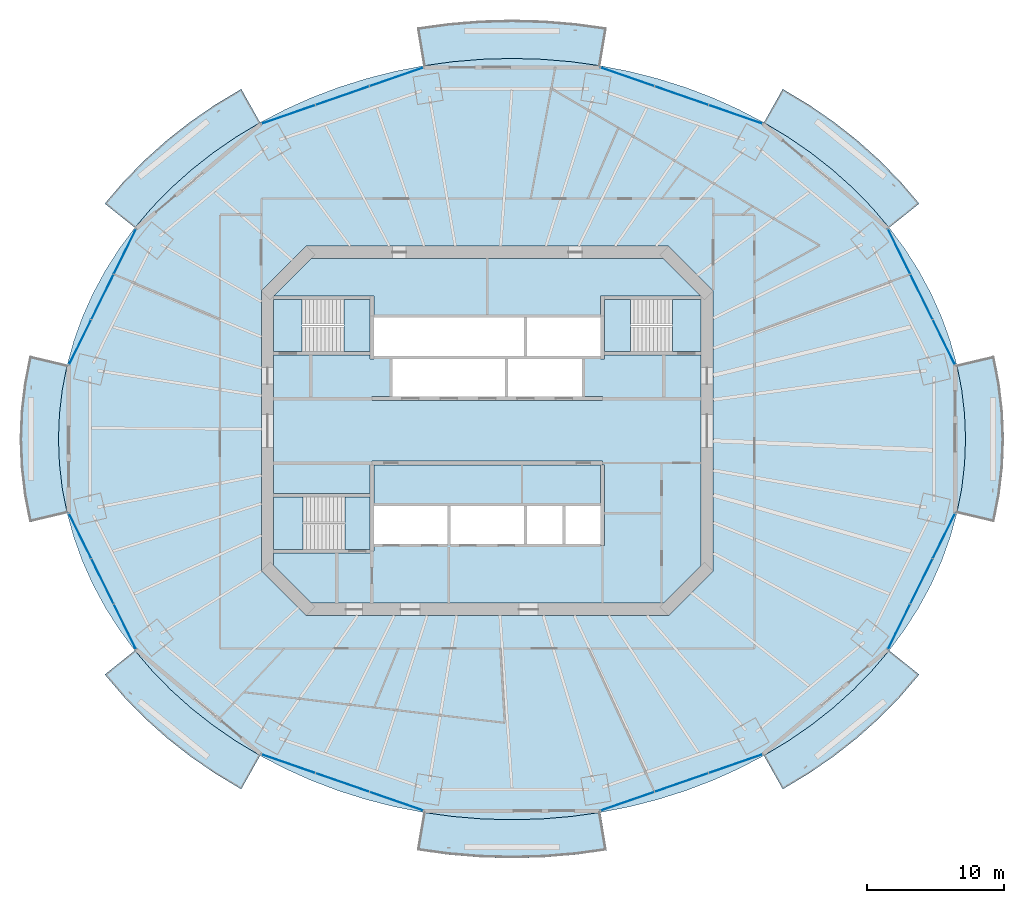
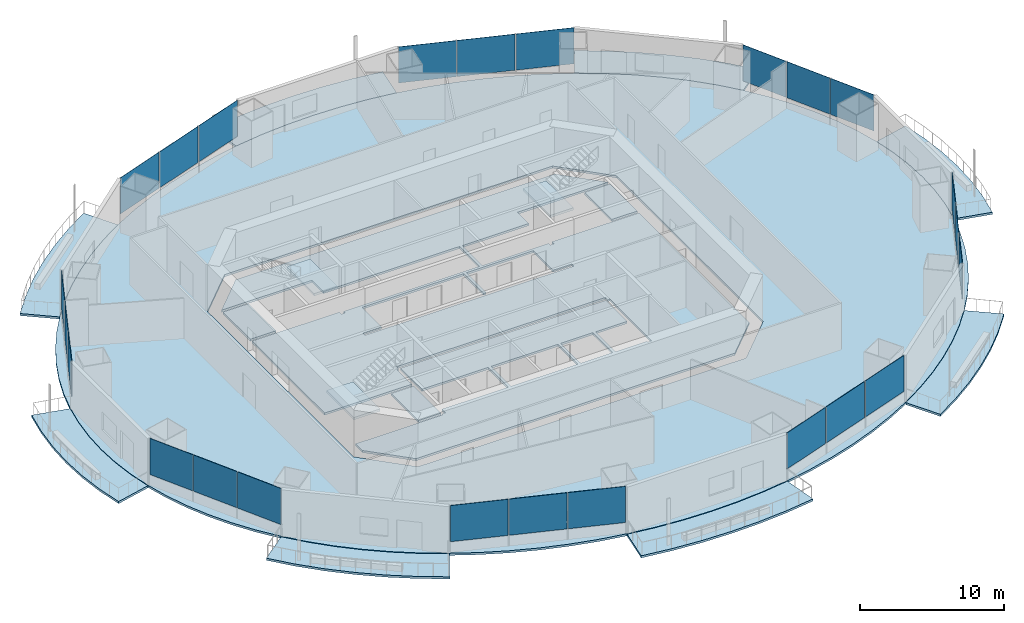
# One storey, part 11 of 21: 24 plates, 16 slabs, 11 elements without a shape of their own.
"""IFC4 building model written with IfcOpenShell, lengths in metres."""

from ifc_helpers import new_model, si_unit, direction, frame, origin, origin_2d, place, context, subcontext, project, spatial, polyline, rectangle, outline, extrude, material, layer, layer_set, type_object, element, aggregate, save


model = new_model("IFC4")

# Units and contexts
model_context = context("Model", 3, precision=1e-05, world=origin(), true_north=direction((0.0, 1.0)))
body_context = subcontext(model_context, "Body", "Model", "MODEL_VIEW")
ifc_project = project(units=[si_unit("LENGTHUNIT", "METRE"), si_unit("AREAUNIT", "SQUARE_METRE"), si_unit("VOLUMEUNIT", "CUBIC_METRE"), si_unit("PLANEANGLEUNIT", "RADIAN"), si_unit("MASSUNIT", "GRAM", prefix="KILO")], contexts=[model_context])

# Site, building, storey
site_placement = place(None, origin())
site = spatial("IfcSite", under=ifc_project, at=site_placement, CompositionType="ELEMENT")
building_placement = place(site_placement, origin())
building = spatial("IfcBuilding", under=site, at=building_placement, Name="Marenthal Gate Tower", CompositionType="ELEMENT")
storey_placement = place(building_placement, frame((0.0, 0.0, 161.050048828125)))
storey = spatial("IfcBuildingStorey", under=building, at=storey_placement, Name="L34", CompositionType="ELEMENT", Elevation=161.050048828125)

# Slabs
ifc_material_1 = material(Name="Concrete 40 MPa", Category="concrete")
ifc_layer_1 = layer(ifc_material_1, 0.179931640625)
ifc_layer_set_1 = layer_set([ifc_layer_1], Name="Balcony deck 180")
slab_type_1 = type_object("IfcSlabType", Name="Balcony deck 180", PredefinedType="USERDEFINED", material=ifc_layer_set_1)
slab_1_placement = place(storey_placement, frame((0.0, 0.0, -0.219970703125)))
element("IfcSlab", 1, at=slab_1_placement, inside=storey, type_object=slab_type_1, Name="Balcony deck L34 bay 2", ObjectType="BALCONY", PredefinedType="USERDEFINED", context=body_context, shape_type="SweptSolid", body=[
    extrude(outline(polyline([(29.25439453125, 14.7958984375), (27.99560546875, 16.27001953125), (26.625, 17.671875), (25.14794921875, 18.995361328125), (23.57080078125, 20.235107421875), (21.900634765625, 21.385498046875), (20.144287109375, 22.441650390625), (21.513916015625, 24.8837890625), (23.416748046875, 23.739501953125), (25.230712890625, 22.489990234375), (26.947998046875, 21.14013671875), (28.56103515625, 19.69482421875), (30.062255859375, 18.159423828125), (31.44482421875, 16.5400390625), (29.25439453125, 14.7958984375)])), origin(), (0.0, 0.0, 1.0), 0.179931640625),
])
slab_2_placement = place(storey_placement, frame((0.0, 0.0, -0.219970703125)))
element("IfcSlab", 2, at=slab_2_placement, inside=storey, type_object=slab_type_1, Name="Balcony deck L34 bay 4", ObjectType="BALCONY", PredefinedType="USERDEFINED", context=body_context, shape_type="SweptSolid", body=[
    extrude(outline(polyline([(8.24169921875, 26.57958984375), (6.10986328125, 26.875), (3.95947265625, 27.052734375), (1.800048828125, 27.112060546875), (-0.359619140625, 27.052734375), (-2.509765625, 26.875), (-4.6416015625, 26.57958984375), (-5.102783203125, 29.34130859375), (-2.8173828125, 29.657958984375), (-0.51318359375, 29.848388671875), (1.800048828125, 29.912109375), (4.11328125, 29.848388671875), (6.417236328125, 29.657958984375), (8.70263671875, 29.34130859375), (8.24169921875, 26.57958984375)])), origin(), (0.0, 0.0, 1.0), 0.179931640625),
])
slab_3_placement = place(storey_placement, frame((0.0, 0.0, -0.219970703125)))
element("IfcSlab", 3, at=slab_3_placement, inside=storey, type_object=slab_type_1, Name="Balcony deck L34 bay 6", ObjectType="BALCONY", PredefinedType="USERDEFINED", context=body_context, shape_type="SweptSolid", body=[
    extrude(outline(polyline([(-16.54443359375, 22.441650390625), (-18.30078125, 21.385498046875), (-19.970947265625, 20.235107421875), (-21.548095703125, 18.995361328125), (-23.02490234375, 17.671875), (-24.395751953125, 16.27001953125), (-25.654296875, 14.7958984375), (-27.844970703125, 16.5400390625), (-26.462158203125, 18.159423828125), (-24.9609375, 19.69482421875), (-23.34814453125, 21.14013671875), (-21.630615234375, 22.489990234375), (-19.816650390625, 23.739501953125), (-17.9140625, 24.8837890625), (-16.54443359375, 22.441650390625)])), origin(), (0.0, 0.0, 1.0), 0.179931640625),
])
slab_4_placement = place(storey_placement, frame((0.0, 0.0, -0.219970703125)))
element("IfcSlab", 4, at=slab_4_placement, inside=storey, type_object=slab_type_1, Name="Balcony deck L34 bay 8", ObjectType="BALCONY", PredefinedType="USERDEFINED", context=body_context, shape_type="SweptSolid", body=[
    extrude(outline(polyline([(-30.58447265625, 4.806396484375), (-30.9365234375, 3.01708984375), (-31.148193359375, 1.21240234375), (-31.218994140625, -0.60009765625), (-31.148193359375, -2.41259765625), (-30.9365234375, -4.217041015625), (-30.58447265625, -6.00634765625), (-33.30908203125, -6.652099609375), (-33.70263671875, -4.651123046875), (-33.939697265625, -2.630615234375), (-34.01904296875, -0.60009765625), (-33.939697265625, 1.430419921875), (-33.70263671875, 3.450927734375), (-33.30908203125, 5.451904296875), (-30.58447265625, 4.806396484375)])), origin(), (0.0, 0.0, 1.0), 0.179931640625),
])
slab_5_placement = place(storey_placement, frame((0.0, 0.0, -0.219970703125)))
element("IfcSlab", 5, at=slab_5_placement, inside=storey, type_object=slab_type_1, Name="Balcony deck L34 bay 10", ObjectType="BALCONY", PredefinedType="USERDEFINED", context=body_context, shape_type="SweptSolid", body=[
    extrude(outline(polyline([(-25.654296875, -15.99609375), (-24.395751953125, -17.469970703125), (-23.02490234375, -18.871826171875), (-21.548095703125, -20.1953125), (-19.970947265625, -21.43505859375), (-18.30078125, -22.58544921875), (-16.54443359375, -23.6416015625), (-17.9140625, -26.083984375), (-19.816650390625, -24.939453125), (-21.630615234375, -23.68994140625), (-23.34814453125, -22.340087890625), (-24.9609375, -20.894775390625), (-26.462158203125, -19.359375), (-27.844970703125, -17.739990234375), (-25.654296875, -15.99609375)])), origin(), (0.0, 0.0, 1.0), 0.179931640625),
])
slab_6_placement = place(storey_placement, frame((0.0, 0.0, -0.219970703125)))
element("IfcSlab", 6, at=slab_6_placement, inside=storey, type_object=slab_type_1, Name="Balcony deck L34 bay 12", ObjectType="BALCONY", PredefinedType="USERDEFINED", context=body_context, shape_type="SweptSolid", body=[
    extrude(outline(polyline([(-4.6416015625, -27.779541015625), (-2.509765625, -28.074951171875), (-0.359619140625, -28.252685546875), (1.800048828125, -28.31201171875), (3.95947265625, -28.252685546875), (6.10986328125, -28.074951171875), (8.24169921875, -27.779541015625), (8.70263671875, -30.541259765625), (6.417236328125, -30.85791015625), (4.11328125, -31.048583984375), (1.800048828125, -31.112060546875), (-0.51318359375, -31.048583984375), (-2.8173828125, -30.85791015625), (-5.102783203125, -30.541259765625), (-4.6416015625, -27.779541015625)])), origin(), (0.0, 0.0, 1.0), 0.179931640625),
])
slab_7_placement = place(storey_placement, frame((0.0, 0.0, -0.219970703125)))
element("IfcSlab", 7, at=slab_7_placement, inside=storey, type_object=slab_type_1, Name="Balcony deck L34 bay 14", ObjectType="BALCONY", PredefinedType="USERDEFINED", context=body_context, shape_type="SweptSolid", body=[
    extrude(outline(polyline([(20.144287109375, -23.6416015625), (21.900634765625, -22.58544921875), (23.57080078125, -21.43505859375), (25.14794921875, -20.1953125), (26.625, -18.871826171875), (27.99560546875, -17.469970703125), (29.25439453125, -15.99609375), (31.44482421875, -17.739990234375), (30.062255859375, -19.359375), (28.56103515625, -20.894775390625), (26.947998046875, -22.340087890625), (25.230712890625, -23.68994140625), (23.416748046875, -24.939453125), (21.513916015625, -26.083984375), (20.144287109375, -23.6416015625)])), origin(), (0.0, 0.0, 1.0), 0.179931640625),
])
slab_8_placement = place(storey_placement, frame((0.0, 0.0, -0.219970703125)))
element("IfcSlab", 8, at=slab_8_placement, inside=storey, type_object=slab_type_1, Name="Balcony deck L34 bay 16", ObjectType="BALCONY", PredefinedType="USERDEFINED", context=body_context, shape_type="SweptSolid", body=[
    extrude(outline(polyline([(34.1845703125, -6.00634765625), (34.53662109375, -4.217041015625), (34.748291015625, -2.41259765625), (34.819091796875, -0.60009765625), (34.748291015625, 1.21240234375), (34.53662109375, 3.01708984375), (34.1845703125, 4.806396484375), (36.908935546875, 5.451904296875), (37.302734375, 3.450927734375), (37.539794921875, 1.430419921875), (37.618896484375, -0.60009765625), (37.539794921875, -2.630615234375), (37.302734375, -4.651123046875), (36.908935546875, -6.652099609375), (34.1845703125, -6.00634765625)])), origin(), (0.0, 0.0, 1.0), 0.179931640625),
])
ifc_material_2 = material(Name="Concrete 50 MPa", Category="concrete")
ifc_layer_2 = layer(ifc_material_2, 0.179931640625)
ifc_layer_set_2 = layer_set([ifc_layer_2], Name="Core floor slab 180")
slab_type_2 = type_object("IfcSlabType", Name="Core floor slab 180", PredefinedType="FLOOR", material=ifc_layer_set_2)
slab_9_placement = place(storey_placement, frame((0.0, 0.0, -0.179931640625)))
element("IfcSlab", 9, at=slab_9_placement, inside=storey, type_object=slab_type_2, Name="Core floor L34", PredefinedType="FLOOR", context=body_context, shape_type="SweptSolid", body=[
    extrude(outline(polyline([(12.813720703125, -12.550048828125), (-12.813720703125, -12.550048828125), (-15.550048828125, -9.813720703125), (-15.550048828125, -8.875), (-8.550048828125, -8.875), (-8.550048828125, -8.75), (-8.25, -8.75), (-8.25, -8.239990234375), (-5.60009765625, -8.239990234375), (-2.909912109375, -8.239990234375), (-2.909912109375, -5.4599609375), (-5.60009765625, -5.4599609375), (-8.25, -5.4599609375), (-8.25, -2.5), (8.25, -2.5), (8.25, -5.4599609375), (5.7099609375, -5.4599609375), (5.7099609375, -8.239990234375), (8.25, -8.239990234375), (8.25, -8.35009765625), (8.550048828125, -8.35009765625), (8.550048828125, -2.5), (8.39990234375, -2.5), (8.39990234375, -2.199951171875), (-8.39990234375, -2.199951171875), (-8.39990234375, -2.5), (-8.550048828125, -2.5), (-8.550048828125, -4.574951171875), (-15.550048828125, -4.574951171875), (-15.550048828125, 5.52490234375), (-8.550048828125, 5.52490234375), (-8.550048828125, 5.239990234375), (-8.25, 5.239990234375), (-8.25, 5.4599609375), (-5.60009765625, 5.4599609375), (-2.800048828125, 5.4599609375), (0.0, 5.4599609375), (2.68994140625, 5.4599609375), (2.68994140625, 8.239990234375), (0.0, 8.239990234375), (-2.800048828125, 8.239990234375), (-5.60009765625, 8.239990234375), (-8.25, 8.239990234375), (-8.25, 8.35009765625), (-8.25, 9.824951171875), (-8.550048828125, 9.824951171875), (-15.53857421875, 9.824951171875), (-12.813720703125, 12.550048828125), (12.813720703125, 12.550048828125), (15.53857421875, 9.824951171875), (8.550048828125, 9.824951171875), (8.25, 9.824951171875), (8.25, 8.35009765625), (8.25, 8.239990234375), (5.60009765625, 8.239990234375), (2.909912109375, 8.239990234375), (2.909912109375, 5.4599609375), (5.60009765625, 5.4599609375), (8.25, 5.4599609375), (8.25, 5.239990234375), (8.550048828125, 5.239990234375), (8.550048828125, 5.52490234375), (15.550048828125, 5.52490234375), (15.550048828125, -9.813720703125), (12.813720703125, -12.550048828125)]), holes=[polyline([(2.68994140625, -8.239990234375), (2.68994140625, -5.4599609375), (0.0, -5.4599609375), (-2.68994140625, -5.4599609375), (-2.68994140625, -8.239990234375), (0.0, -8.239990234375), (2.68994140625, -8.239990234375)]), polyline([(-6.889892578125, 5.239990234375), (-6.889892578125, 2.5), (-8.39990234375, 2.5), (-8.39990234375, 2.199951171875), (8.39990234375, 2.199951171875), (8.39990234375, 2.5), (6.889892578125, 2.5), (6.889892578125, 5.239990234375), (4.199951171875, 5.239990234375), (1.510009765625, 5.239990234375), (1.510009765625, 2.5), (1.2900390625, 2.5), (1.2900390625, 5.239990234375), (-1.39990234375, 5.239990234375), (-4.199951171875, 5.239990234375), (-6.889892578125, 5.239990234375)]), polyline([(5.489990234375, -8.239990234375), (5.489990234375, -5.4599609375), (2.909912109375, -5.4599609375), (2.909912109375, -8.239990234375), (5.489990234375, -8.239990234375)])]), origin(), (0.0, 0.0, 1.0), 0.179931640625),
])
slab_10_placement = place(storey_placement, frame((0.0, 0.0, -0.179931640625)))
element("IfcSlab", 10, at=slab_10_placement, inside=storey, type_object=slab_type_2, Name="Core floor L34", PredefinedType="FLOOR", context=body_context, shape_type="SweptSolid", body=[
    extrude(outline(polyline([(15.550048828125, 5.77490234375), (13.5, 5.77490234375), (13.5, 9.574951171875), (15.550048828125, 9.574951171875), (15.550048828125, 5.77490234375)])), origin(), (0.0, 0.0, 1.0), 0.179931640625),
])
slab_11_placement = place(storey_placement, frame((0.0, 0.0, -0.179931640625)))
element("IfcSlab", 11, at=slab_11_placement, inside=storey, type_object=slab_type_2, Name="Core floor L34", PredefinedType="FLOOR", context=body_context, shape_type="SweptSolid", body=[
    extrude(outline(polyline([(-15.550048828125, 9.574951171875), (-13.5, 9.574951171875), (-13.5, 5.77490234375), (-15.550048828125, 5.77490234375), (-15.550048828125, 9.574951171875)])), origin(), (0.0, 0.0, 1.0), 0.179931640625),
])
slab_12_placement = place(storey_placement, frame((0.0, 0.0, -0.179931640625)))
element("IfcSlab", 12, at=slab_12_placement, inside=storey, type_object=slab_type_2, Name="Core floor L34", PredefinedType="FLOOR", context=body_context, shape_type="SweptSolid", body=[
    extrude(outline(polyline([(-8.550048828125, -8.625), (-10.35009765625, -8.625), (-10.35009765625, -4.824951171875), (-8.550048828125, -4.824951171875), (-8.550048828125, -8.625)])), origin(), (0.0, 0.0, 1.0), 0.179931640625),
])
ifc_material_3 = material(Name="Concrete 35 MPa", Category="concrete")
ifc_layer_3 = layer(ifc_material_3, 0.179931640625)
ifc_layer_set_3 = layer_set([ifc_layer_3], Name="Floor slab 180")
slab_type_3 = type_object("IfcSlabType", Name="Floor slab 180", PredefinedType="FLOOR", material=ifc_layer_set_3)
slab_13_placement = place(storey_placement, frame((0.0, 0.0, -0.179931640625)))
element("IfcSlab", 13, at=slab_13_placement, inside=storey, type_object=slab_type_3, Name="SL-L34-01", PredefinedType="FLOOR", context=body_context, shape_type="SweptSolid", body=[
    extrude(outline(polyline([(34.819091796875, -0.60009765625), (34.748291015625, 1.21240234375), (34.53662109375, 3.01708984375), (34.1845703125, 4.806396484375), (33.69384765625, 6.572509765625), (33.066650390625, 8.3076171875), (32.3056640625, 10.0048828125), (31.413818359375, 11.65673828125), (30.395263671875, 13.256103515625), (29.25439453125, 14.7958984375), (27.99560546875, 16.27001953125), (26.625, 17.671875), (25.14794921875, 18.995361328125), (23.57080078125, 20.235107421875), (21.900634765625, 21.385498046875), (20.144287109375, 22.441650390625), (18.3095703125, 23.3994140625), (16.40380859375, 24.254150390625), (14.435791015625, 25.00244140625), (12.41357421875, 25.641357421875), (10.345947265625, 26.167724609375), (8.24169921875, 26.57958984375), (6.10986328125, 26.875), (3.95947265625, 27.052734375), (1.800048828125, 27.112060546875), (-0.359619140625, 27.052734375), (-2.509765625, 26.875), (-4.6416015625, 26.57958984375), (-6.745849609375, 26.167724609375), (-8.813720703125, 25.641357421875), (-10.835693359375, 25.00244140625), (-12.803955078125, 24.254150390625), (-14.70947265625, 23.3994140625), (-16.54443359375, 22.441650390625), (-18.30078125, 21.385498046875), (-19.970947265625, 20.235107421875), (-21.548095703125, 18.995361328125), (-23.02490234375, 17.671875), (-24.395751953125, 16.27001953125), (-25.654296875, 14.7958984375), (-26.79541015625, 13.256103515625), (-27.813720703125, 11.65673828125), (-28.70556640625, 10.0048828125), (-29.466796875, 8.3076171875), (-30.093994140625, 6.572509765625), (-30.58447265625, 4.806396484375), (-30.9365234375, 3.01708984375), (-31.148193359375, 1.21240234375), (-31.218994140625, -0.60009765625), (-31.148193359375, -2.41259765625), (-30.9365234375, -4.217041015625), (-30.58447265625, -6.00634765625), (-30.093994140625, -7.7724609375), (-29.466796875, -9.5078125), (-28.70556640625, -11.204833984375), (-27.813720703125, -12.856689453125), (-26.79541015625, -14.4560546875), (-25.654296875, -15.99609375), (-24.395751953125, -17.469970703125), (-23.02490234375, -18.871826171875), (-21.548095703125, -20.1953125), (-19.970947265625, -21.43505859375), (-18.30078125, -22.58544921875), (-16.54443359375, -23.6416015625), (-14.70947265625, -24.599365234375), (-12.803955078125, -25.4541015625), (-10.835693359375, -26.202392578125), (-8.813720703125, -26.84130859375), (-6.745849609375, -27.36767578125), (-4.6416015625, -27.779541015625), (-2.509765625, -28.074951171875), (-0.359619140625, -28.252685546875), (1.800048828125, -28.31201171875), (3.95947265625, -28.252685546875), (6.10986328125, -28.074951171875), (8.24169921875, -27.779541015625), (10.345947265625, -27.36767578125), (12.41357421875, -26.84130859375), (14.435791015625, -26.202392578125), (16.40380859375, -25.4541015625), (18.3095703125, -24.599365234375), (20.144287109375, -23.6416015625), (21.900634765625, -22.58544921875), (23.57080078125, -21.43505859375), (25.14794921875, -20.1953125), (26.625, -18.871826171875), (27.99560546875, -17.469970703125), (29.25439453125, -15.99609375), (30.395263671875, -14.4560546875), (31.413818359375, -12.856689453125), (32.3056640625, -11.204833984375), (33.066650390625, -9.5078125), (33.69384765625, -7.7724609375), (34.1845703125, -6.00634765625), (34.53662109375, -4.217041015625), (34.748291015625, -2.41259765625), (34.819091796875, -0.60009765625)]), holes=[polyline([(13.186279296875, -13.449951171875), (16.449951171875, -10.186279296875), (16.449951171875, 10.186279296875), (13.186279296875, 13.449951171875), (-13.186279296875, 13.449951171875), (-16.449951171875, 10.186279296875), (-16.449951171875, -10.186279296875), (-13.186279296875, -13.449951171875), (13.186279296875, -13.449951171875)])]), origin(), (0.0, 0.0, 1.0), 0.179931640625),
])

# Curtain wall, plates
ifc_material_4 = material(Name="Aluminium and glass", Category="aluminium")
curtain_wall_type = type_object("IfcCurtainWallType", Name="Curtain wall typical mid", PredefinedType="NOTDEFINED", material=ifc_material_4)
curtain_wall_1_placement = place(storey_placement, origin())
curtain_wall_1 = element("IfcCurtainWall", 14, at=curtain_wall_1_placement, inside=storey, type_object=curtain_wall_type, Name="Curtain wall L34 bay 1", PredefinedType="NOTDEFINED")
ifc_material_5 = material(Name="Glass, laminated insulating unit", Category="glass")
ifc_layer_4 = layer(ifc_material_5, 0.030029296875)
ifc_layer_set_4 = layer_set([ifc_layer_4], Name="Glass panel 30 typical mid")
plate_type = type_object("IfcPlateType", Name="Glass panel 30 typical mid", PredefinedType="CURTAIN_PANEL", material=ifc_layer_set_4)
plate_1_placement = place(storey_placement, frame((33.2392578125, 6.45849609375, 0.89990234375), z_axis=(0.0, 0.0, 1.0), x_axis=(-0.442823615536, 0.896608747182, 0.0)))
plate_1 = element("IfcPlate", 15, at=plate_1_placement, type_object=plate_type, Name="Glass panel L34 bay 1.1", PredefinedType="CURTAIN_PANEL", context=body_context, shape_type="SweptSolid", body=[
    extrude(rectangle(XDim=3.617919921875, YDim=0.030029296875, at=origin_2d()), origin(), (0.0, 0.0, 1.0), 3.070068359375),
])
plate_2_placement = place(storey_placement, frame((31.610595703125, 9.756103515625, 0.89990234375), z_axis=(0.0, 0.0, 1.0), x_axis=(-0.442823615536, 0.896608747182, 0.0)))
plate_2 = element("IfcPlate", 16, at=plate_2_placement, type_object=plate_type, Name="Glass panel L34 bay 1.2", PredefinedType="CURTAIN_PANEL", context=body_context, shape_type="SweptSolid", body=[
    extrude(rectangle(XDim=3.617919921875, YDim=0.030029296875, at=origin_2d()), origin(), (0.0, 0.0, 1.0), 3.070068359375),
])
plate_3_placement = place(storey_placement, frame((29.982177734375, 13.0537109375, 0.89990234375), z_axis=(0.0, 0.0, 1.0), x_axis=(-0.442823615536, 0.896608747182, 0.0)))
plate_3 = element("IfcPlate", 17, at=plate_3_placement, type_object=plate_type, Name="Glass panel L34 bay 1.3", PredefinedType="CURTAIN_PANEL", context=body_context, shape_type="SweptSolid", body=[
    extrude(rectangle(XDim=3.617919921875, YDim=0.030029296875, at=origin_2d()), origin(), (0.0, 0.0, 1.0), 3.070068359375),
])
aggregate(curtain_wall_1, [plate_1, plate_2, plate_3])

curtain_wall_2_placement = place(storey_placement, origin())
curtain_wall_2 = element("IfcCurtainWall", 18, at=curtain_wall_2_placement, inside=storey, type_object=curtain_wall_type, Name="Curtain wall L34 bay 3", PredefinedType="NOTDEFINED")
plate_4_placement = place(storey_placement, frame((18.082275390625, 23.03515625, 0.89990234375), z_axis=(0.0, 0.0, 1.0), x_axis=(-0.944622987868, 0.328157600538, 0.0)))
plate_4 = element("IfcPlate", 19, at=plate_4_placement, type_object=plate_type, Name="Glass panel L34 bay 3.1", PredefinedType="CURTAIN_PANEL", context=body_context, shape_type="SweptSolid", body=[
    extrude(rectangle(XDim=4.10498046875, YDim=0.030029296875, at=origin_2d()), origin(), (0.0, 0.0, 1.0), 3.070068359375),
])
plate_5_placement = place(storey_placement, frame((14.14794921875, 24.40185546875, 0.89990234375), z_axis=(0.0, 0.0, 1.0), x_axis=(-0.944622987868, 0.328157600538, 0.0)))
plate_5 = element("IfcPlate", 20, at=plate_5_placement, type_object=plate_type, Name="Glass panel L34 bay 3.2", PredefinedType="CURTAIN_PANEL", context=body_context, shape_type="SweptSolid", body=[
    extrude(rectangle(XDim=4.10498046875, YDim=0.030029296875, at=origin_2d()), origin(), (0.0, 0.0, 1.0), 3.070068359375),
])
plate_6_placement = place(storey_placement, frame((10.2138671875, 25.7685546875, 0.89990234375), z_axis=(0.0, 0.0, 1.0), x_axis=(-0.944622987868, 0.328157600538, 0.0)))
plate_6 = element("IfcPlate", 21, at=plate_6_placement, type_object=plate_type, Name="Glass panel L34 bay 3.3", PredefinedType="CURTAIN_PANEL", context=body_context, shape_type="SweptSolid", body=[
    extrude(rectangle(XDim=4.104736328125, YDim=0.030029296875, at=origin_2d()), origin(), (0.0, 0.0, 1.0), 3.070068359375),
])
aggregate(curtain_wall_2, [plate_4, plate_5, plate_6])

curtain_wall_3_placement = place(storey_placement, origin())
curtain_wall_3 = element("IfcCurtainWall", 22, at=curtain_wall_3_placement, inside=storey, type_object=curtain_wall_type, Name="Curtain wall L34 bay 5", PredefinedType="NOTDEFINED")
plate_7_placement = place(storey_placement, frame((-6.61376953125, 25.7685546875, 0.89990234375), z_axis=(0.0, 0.0, 1.0), x_axis=(-0.944622987868, -0.328157600538, 0.0)))
plate_7 = element("IfcPlate", 23, at=plate_7_placement, type_object=plate_type, Name="Glass panel L34 bay 5.1", PredefinedType="CURTAIN_PANEL", context=body_context, shape_type="SweptSolid", body=[
    extrude(rectangle(XDim=4.10498046875, YDim=0.030029296875, at=origin_2d()), origin(), (0.0, 0.0, 1.0), 3.070068359375),
])
plate_8_placement = place(storey_placement, frame((-10.548095703125, 24.40185546875, 0.89990234375), z_axis=(0.0, 0.0, 1.0), x_axis=(-0.944622987868, -0.328157600538, 0.0)))
plate_8 = element("IfcPlate", 24, at=plate_8_placement, type_object=plate_type, Name="Glass panel L34 bay 5.2", PredefinedType="CURTAIN_PANEL", context=body_context, shape_type="SweptSolid", body=[
    extrude(rectangle(XDim=4.10498046875, YDim=0.030029296875, at=origin_2d()), origin(), (0.0, 0.0, 1.0), 3.070068359375),
])
plate_9_placement = place(storey_placement, frame((-14.482177734375, 23.03515625, 0.89990234375), z_axis=(0.0, 0.0, 1.0), x_axis=(-0.944622987868, -0.328157600538, 0.0)))
plate_9 = element("IfcPlate", 25, at=plate_9_placement, type_object=plate_type, Name="Glass panel L34 bay 5.3", PredefinedType="CURTAIN_PANEL", context=body_context, shape_type="SweptSolid", body=[
    extrude(rectangle(XDim=4.104736328125, YDim=0.030029296875, at=origin_2d()), origin(), (0.0, 0.0, 1.0), 3.070068359375),
])
aggregate(curtain_wall_3, [plate_7, plate_8, plate_9])

curtain_wall_4_placement = place(storey_placement, origin())
curtain_wall_4 = element("IfcCurtainWall", 26, at=curtain_wall_4_placement, inside=storey, type_object=curtain_wall_type, Name="Curtain wall L34 bay 7", PredefinedType="NOTDEFINED")
plate_10_placement = place(storey_placement, frame((-26.382080078125, 13.0537109375, 0.89990234375), z_axis=(0.0, 0.0, 1.0), x_axis=(-0.442823615536, -0.896608747182, 0.0)))
plate_10 = element("IfcPlate", 27, at=plate_10_placement, type_object=plate_type, Name="Glass panel L34 bay 7.1", PredefinedType="CURTAIN_PANEL", context=body_context, shape_type="SweptSolid", body=[
    extrude(rectangle(XDim=3.617919921875, YDim=0.030029296875, at=origin_2d()), origin(), (0.0, 0.0, 1.0), 3.070068359375),
])
plate_11_placement = place(storey_placement, frame((-28.0107421875, 9.756103515625, 0.89990234375), z_axis=(0.0, 0.0, 1.0), x_axis=(-0.442823615536, -0.896608747182, 0.0)))
plate_11 = element("IfcPlate", 28, at=plate_11_placement, type_object=plate_type, Name="Glass panel L34 bay 7.2", PredefinedType="CURTAIN_PANEL", context=body_context, shape_type="SweptSolid", body=[
    extrude(rectangle(XDim=3.617919921875, YDim=0.030029296875, at=origin_2d()), origin(), (0.0, 0.0, 1.0), 3.070068359375),
])
plate_12_placement = place(storey_placement, frame((-29.639404296875, 6.45849609375, 0.89990234375), z_axis=(0.0, 0.0, 1.0), x_axis=(-0.442823615536, -0.896608747182, 0.0)))
plate_12 = element("IfcPlate", 29, at=plate_12_placement, type_object=plate_type, Name="Glass panel L34 bay 7.3", PredefinedType="CURTAIN_PANEL", context=body_context, shape_type="SweptSolid", body=[
    extrude(rectangle(XDim=3.617919921875, YDim=0.030029296875, at=origin_2d()), origin(), (0.0, 0.0, 1.0), 3.070068359375),
])
aggregate(curtain_wall_4, [plate_10, plate_11, plate_12])

curtain_wall_5_placement = place(storey_placement, origin())
curtain_wall_5 = element("IfcCurtainWall", 30, at=curtain_wall_5_placement, inside=storey, type_object=curtain_wall_type, Name="Curtain wall L34 bay 9", PredefinedType="NOTDEFINED")
plate_13_placement = place(storey_placement, frame((-29.639404296875, -7.65869140625, 0.89990234375), z_axis=(0.0, 0.0, 1.0), x_axis=(0.442823615536, -0.896608747182, 0.0)))
plate_13 = element("IfcPlate", 31, at=plate_13_placement, type_object=plate_type, Name="Glass panel L34 bay 9.1", PredefinedType="CURTAIN_PANEL", context=body_context, shape_type="SweptSolid", body=[
    extrude(rectangle(XDim=3.617919921875, YDim=0.030029296875, at=origin_2d()), origin(), (0.0, 0.0, 1.0), 3.070068359375),
])
plate_14_placement = place(storey_placement, frame((-28.0107421875, -10.9560546875, 0.89990234375), z_axis=(0.0, 0.0, 1.0), x_axis=(0.442823615536, -0.896608747182, 0.0)))
plate_14 = element("IfcPlate", 32, at=plate_14_placement, type_object=plate_type, Name="Glass panel L34 bay 9.2", PredefinedType="CURTAIN_PANEL", context=body_context, shape_type="SweptSolid", body=[
    extrude(rectangle(XDim=3.617919921875, YDim=0.030029296875, at=origin_2d()), origin(), (0.0, 0.0, 1.0), 3.070068359375),
])
plate_15_placement = place(storey_placement, frame((-26.382080078125, -14.253662109375, 0.89990234375), z_axis=(0.0, 0.0, 1.0), x_axis=(0.442823615536, -0.896608747182, 0.0)))
plate_15 = element("IfcPlate", 33, at=plate_15_placement, type_object=plate_type, Name="Glass panel L34 bay 9.3", PredefinedType="CURTAIN_PANEL", context=body_context, shape_type="SweptSolid", body=[
    extrude(rectangle(XDim=3.617919921875, YDim=0.030029296875, at=origin_2d()), origin(), (0.0, 0.0, 1.0), 3.070068359375),
])
aggregate(curtain_wall_5, [plate_13, plate_14, plate_15])

curtain_wall_6_placement = place(storey_placement, origin())
curtain_wall_6 = element("IfcCurtainWall", 34, at=curtain_wall_6_placement, inside=storey, type_object=curtain_wall_type, Name="Curtain wall L34 bay 11", PredefinedType="NOTDEFINED")
plate_16_placement = place(storey_placement, frame((-14.482177734375, -24.235107421875, 0.89990234375), z_axis=(0.0, 0.0, 1.0), x_axis=(0.944622987868, -0.328157600538, 0.0)))
plate_16 = element("IfcPlate", 35, at=plate_16_placement, type_object=plate_type, Name="Glass panel L34 bay 11.1", PredefinedType="CURTAIN_PANEL", context=body_context, shape_type="SweptSolid", body=[
    extrude(rectangle(XDim=4.10498046875, YDim=0.030029296875, at=origin_2d()), origin(), (0.0, 0.0, 1.0), 3.070068359375),
])
plate_17_placement = place(storey_placement, frame((-10.5478515625, -25.601806640625, 0.89990234375), z_axis=(0.0, 0.0, 1.0), x_axis=(0.944622987868, -0.328157600538, 0.0)))
plate_17 = element("IfcPlate", 36, at=plate_17_placement, type_object=plate_type, Name="Glass panel L34 bay 11.2", PredefinedType="CURTAIN_PANEL", context=body_context, shape_type="SweptSolid", body=[
    extrude(rectangle(XDim=4.10498046875, YDim=0.030029296875, at=origin_2d()), origin(), (0.0, 0.0, 1.0), 3.070068359375),
])
plate_18_placement = place(storey_placement, frame((-6.61376953125, -26.968505859375, 0.89990234375), z_axis=(0.0, 0.0, 1.0), x_axis=(0.944622987868, -0.328157600538, 0.0)))
plate_18 = element("IfcPlate", 37, at=plate_18_placement, type_object=plate_type, Name="Glass panel L34 bay 11.3", PredefinedType="CURTAIN_PANEL", context=body_context, shape_type="SweptSolid", body=[
    extrude(rectangle(XDim=4.104736328125, YDim=0.030029296875, at=origin_2d()), origin(), (0.0, 0.0, 1.0), 3.070068359375),
])
aggregate(curtain_wall_6, [plate_16, plate_17, plate_18])

curtain_wall_7_placement = place(storey_placement, origin())
curtain_wall_7 = element("IfcCurtainWall", 38, at=curtain_wall_7_placement, inside=storey, type_object=curtain_wall_type, Name="Curtain wall L34 bay 13", PredefinedType="NOTDEFINED")
plate_19_placement = place(storey_placement, frame((10.2138671875, -26.968505859375, 0.89990234375), z_axis=(0.0, 0.0, 1.0), x_axis=(0.944622987868, 0.328157600538, 0.0)))
plate_19 = element("IfcPlate", 39, at=plate_19_placement, type_object=plate_type, Name="Glass panel L34 bay 13.1", PredefinedType="CURTAIN_PANEL", context=body_context, shape_type="SweptSolid", body=[
    extrude(rectangle(XDim=4.10498046875, YDim=0.030029296875, at=origin_2d()), origin(), (0.0, 0.0, 1.0), 3.070068359375),
])
plate_20_placement = place(storey_placement, frame((14.14794921875, -25.601806640625, 0.89990234375), z_axis=(0.0, 0.0, 1.0), x_axis=(0.944622987868, 0.328157600538, 0.0)))
plate_20 = element("IfcPlate", 40, at=plate_20_placement, type_object=plate_type, Name="Glass panel L34 bay 13.2", PredefinedType="CURTAIN_PANEL", context=body_context, shape_type="SweptSolid", body=[
    extrude(rectangle(XDim=4.10498046875, YDim=0.030029296875, at=origin_2d()), origin(), (0.0, 0.0, 1.0), 3.070068359375),
])
plate_21_placement = place(storey_placement, frame((18.082275390625, -24.235107421875, 0.89990234375), z_axis=(0.0, 0.0, 1.0), x_axis=(0.944622987868, 0.328157600538, 0.0)))
plate_21 = element("IfcPlate", 41, at=plate_21_placement, type_object=plate_type, Name="Glass panel L34 bay 13.3", PredefinedType="CURTAIN_PANEL", context=body_context, shape_type="SweptSolid", body=[
    extrude(rectangle(XDim=4.104736328125, YDim=0.030029296875, at=origin_2d()), origin(), (0.0, 0.0, 1.0), 3.070068359375),
])
aggregate(curtain_wall_7, [plate_19, plate_20, plate_21])

curtain_wall_8_placement = place(storey_placement, origin())
curtain_wall_8 = element("IfcCurtainWall", 42, at=curtain_wall_8_placement, inside=storey, type_object=curtain_wall_type, Name="Curtain wall L34 bay 15", PredefinedType="NOTDEFINED")
plate_22_placement = place(storey_placement, frame((29.982177734375, -14.253662109375, 0.89990234375), z_axis=(0.0, 0.0, 1.0), x_axis=(0.442823615536, 0.896608747182, 0.0)))
plate_22 = element("IfcPlate", 43, at=plate_22_placement, type_object=plate_type, Name="Glass panel L34 bay 15.1", PredefinedType="CURTAIN_PANEL", context=body_context, shape_type="SweptSolid", body=[
    extrude(rectangle(XDim=3.617919921875, YDim=0.030029296875, at=origin_2d()), origin(), (0.0, 0.0, 1.0), 3.070068359375),
])
plate_23_placement = place(storey_placement, frame((31.610595703125, -10.9560546875, 0.89990234375), z_axis=(0.0, 0.0, 1.0), x_axis=(0.442823615536, 0.896608747182, 0.0)))
plate_23 = element("IfcPlate", 44, at=plate_23_placement, type_object=plate_type, Name="Glass panel L34 bay 15.2", PredefinedType="CURTAIN_PANEL", context=body_context, shape_type="SweptSolid", body=[
    extrude(rectangle(XDim=3.617919921875, YDim=0.030029296875, at=origin_2d()), origin(), (0.0, 0.0, 1.0), 3.070068359375),
])
plate_24_placement = place(storey_placement, frame((33.2392578125, -7.658447265625, 0.89990234375), z_axis=(0.0, 0.0, 1.0), x_axis=(0.442823615536, 0.896608747182, 0.0)))
plate_24 = element("IfcPlate", 45, at=plate_24_placement, type_object=plate_type, Name="Glass panel L34 bay 15.3", PredefinedType="CURTAIN_PANEL", context=body_context, shape_type="SweptSolid", body=[
    extrude(rectangle(XDim=3.617919921875, YDim=0.030029296875, at=origin_2d()), origin(), (0.0, 0.0, 1.0), 3.070068359375),
])
aggregate(curtain_wall_8, [plate_22, plate_23, plate_24])

# Stair, slab
ifc_material_6 = material(Name="Concrete 40 MPa", Category="concrete")
stair_type = type_object("IfcStairType", Name="Exit stair 1800", PredefinedType="HALF_TURN_STAIR", material=ifc_material_6)
stair_1_placement = place(storey_placement, origin())
stair_1 = element("IfcStair", 46, at=stair_1_placement, inside=storey, type_object=stair_type, Name="Stair ST1", PredefinedType="HALF_TURN_STAIR")
ifc_material_7 = material(Name="Concrete 40 MPa", Category="concrete")
ifc_layer_5 = layer(ifc_material_7, 0.199951171875)
ifc_layer_set_5 = layer_set([ifc_layer_5], Name="Stair landing 200")
slab_type_4 = type_object("IfcSlabType", Name="Stair landing 200", PredefinedType="LANDING", material=ifc_layer_set_5)
slab_14_placement = place(storey_placement, frame((0.0, 0.0, 1.875)))
slab_14 = element("IfcSlab", 47, at=slab_14_placement, type_object=slab_type_4, Name="ST1 landing 1", PredefinedType="LANDING", context=body_context, shape_type="SweptSolid", body=[
    extrude(outline(polyline([(-10.419921875, 5.77490234375), (-8.550048828125, 5.77490234375), (-8.550048828125, 9.574951171875), (-10.419921875, 9.574951171875), (-10.419921875, 5.77490234375)])), origin(), (0.0, 0.0, 1.0), 0.199951171875),
])
aggregate(stair_1, [slab_14])

stair_2_placement = place(storey_placement, origin())
stair_2 = element("IfcStair", 48, at=stair_2_placement, inside=storey, type_object=stair_type, Name="Stair ST2", PredefinedType="HALF_TURN_STAIR")
slab_15_placement = place(storey_placement, frame((0.0, 0.0, 1.875)))
slab_15 = element("IfcSlab", 49, at=slab_15_placement, type_object=slab_type_4, Name="ST2 landing 1", PredefinedType="LANDING", context=body_context, shape_type="SweptSolid", body=[
    extrude(outline(polyline([(-15.550048828125, -8.625), (-13.429931640625, -8.625), (-13.429931640625, -4.824951171875), (-15.550048828125, -4.824951171875), (-15.550048828125, -8.625)])), origin(), (0.0, 0.0, 1.0), 0.199951171875),
])
aggregate(stair_2, [slab_15])

stair_3_placement = place(storey_placement, origin())
stair_3 = element("IfcStair", 50, at=stair_3_placement, inside=storey, type_object=stair_type, Name="Stair ST3", PredefinedType="HALF_TURN_STAIR")
slab_16_placement = place(storey_placement, frame((0.0, 0.0, 1.875)))
slab_16 = element("IfcSlab", 51, at=slab_16_placement, type_object=slab_type_4, Name="ST3 landing 1", PredefinedType="LANDING", context=body_context, shape_type="SweptSolid", body=[
    extrude(outline(polyline([(8.550048828125, 5.77490234375), (10.419921875, 5.77490234375), (10.419921875, 9.574951171875), (8.550048828125, 9.574951171875), (8.550048828125, 5.77490234375)])), origin(), (0.0, 0.0, 1.0), 0.199951171875),
])
aggregate(stair_3, [slab_16])

save(model, "model.ifc")
